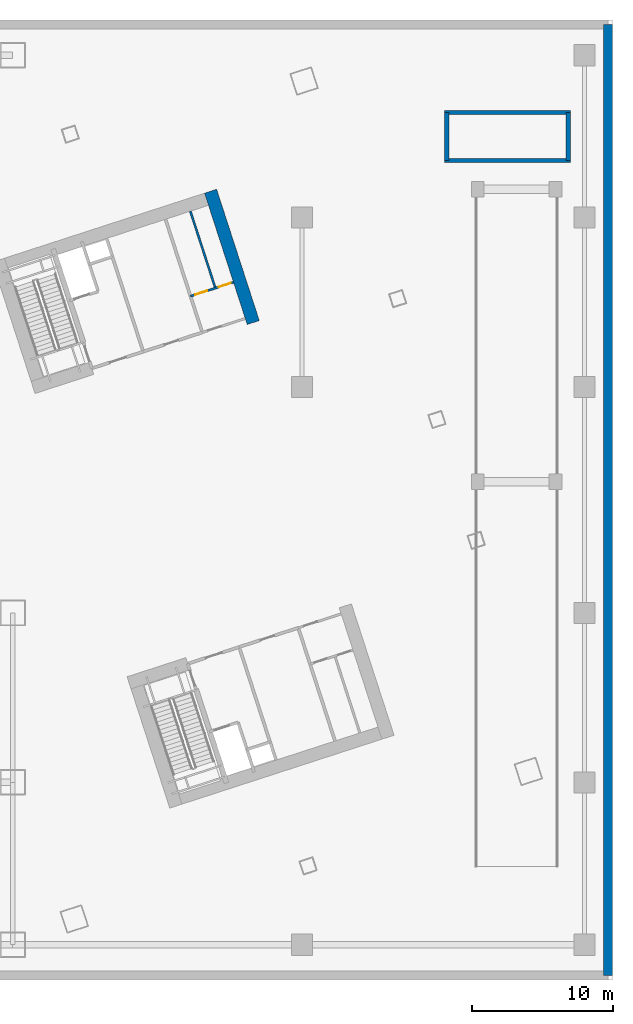
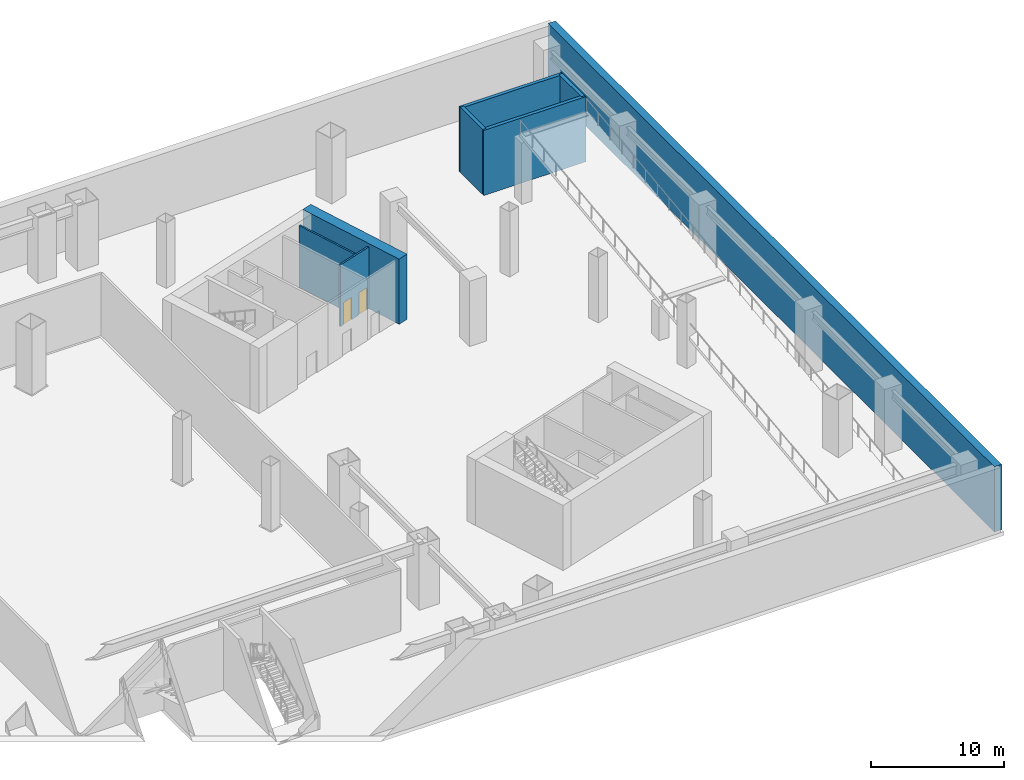
# One storey, part 10 of 20: 8 walls, 2 doors, 2 openings.
"""IFC4 building model written with IfcOpenShell, lengths in metres."""

from ifc_helpers import new_model, si_unit, direction, frame, frame_2d, origin, place, context, subcontext, project, spatial, rectangle, extrude, material, layer, layer_set, type_object, element, fill, save


model = new_model("IFC4")

# Units and contexts
model_context = context("Model", 3, precision=1e-05, world=origin(), true_north=direction((0.0, 1.0)))
body_context = subcontext(model_context, "Body", "Model", "MODEL_VIEW")
ifc_project = project(units=[si_unit("LENGTHUNIT", "METRE"), si_unit("AREAUNIT", "SQUARE_METRE"), si_unit("VOLUMEUNIT", "CUBIC_METRE"), si_unit("PLANEANGLEUNIT", "RADIAN"), si_unit("MASSUNIT", "GRAM", prefix="KILO")], contexts=[model_context])

# Site, building, storey
site_placement = place(None, origin())
site = spatial("IfcSite", under=ifc_project, at=site_placement, CompositionType="ELEMENT")
building_placement = place(site_placement, origin())
building = spatial("IfcBuilding", under=site, at=building_placement, Name="Qiaolan Cultural Towers", CompositionType="ELEMENT")
storey_placement = place(building_placement, frame((0.0, 0.0, -6.0)))
storey = spatial("IfcBuildingStorey", under=building, at=storey_placement, Name="B1", CompositionType="ELEMENT", Elevation=-6.0)

# Walls
ifc_material_1 = material(Name="Concrete C50", Category="concrete")
ifc_layer_1 = layer(ifc_material_1, 0.35009765625)
ifc_layer_set_1 = layer_set([ifc_layer_1], Name="Concrete C50")
wall_type_1 = type_object("IfcWallType", Name="WL-CORE-350", PredefinedType="SHEAR", material=ifc_layer_set_1)
for number, where, z_axis, x_axis, name in (
    (1, (108.10009765625, 58.050048828125, 0.0), (0.0, 0.0, 1.0), (1.0, 0.0, 0.0), "B1 STP2 Stair Shaft Wall S"),
    (2, (108.10009765625, 61.449951171875, 0.0), (0.0, 0.0, 1.0), (1.0, 0.0, 0.0), "B1 STP2 Stair Shaft Wall N"),
):
    element("IfcWall", number, at=place(storey_placement, frame(where, z_axis=z_axis, x_axis=x_axis)), inside=storey, type_object=wall_type_1, Name=name, PredefinedType="SHEAR", context=body_context, shape_type="SweptSolid", body=[
        extrude(rectangle(XDim=8.89990234375, YDim=0.300048828125, at=frame_2d((4.449951171875, 0.0))), origin(), (0.0, 0.0, 1.0), 6.0),
    ])
for number, where, z_axis, x_axis, name in (
    (3, (116.85009765625, 58.050048828125, 0.0), (0.0, 0.0, 1.0), (0.0, 1.0, 0.0), "B1 STP2 Stair Shaft Wall E"),
    (4, (108.25, 58.050048828125, 0.0), (0.0, 0.0, 1.0), (0.0, 1.0, 0.0), "B1 STP2 Stair Shaft Wall W"),
):
    element("IfcWall", number, at=place(storey_placement, frame(where, z_axis=z_axis, x_axis=x_axis)), inside=storey, type_object=wall_type_1, Name=name, PredefinedType="SHEAR", context=body_context, shape_type="SweptSolid", body=[
        extrude(rectangle(XDim=3.39990234375, YDim=0.300048828125, at=frame_2d((1.699951171875, 0.0))), origin(), (0.0, 0.0, 1.0), 6.0),
    ])
ifc_material_2 = material(Name="Concrete C60", Category="concrete")
ifc_layer_2 = layer(ifc_material_2, 0.89990234375)
ifc_layer_set_2 = layer_set([ifc_layer_2], Name="Concrete C60")
wall_type_2 = type_object("IfcWallType", Name="WL-CORE-900", PredefinedType="SHEAR", material=ifc_layer_set_2)
wall_1_placement = place(storey_placement, frame((94.53857421875, 46.567626953125, 0.0), z_axis=(0.0, 0.0, 1.0), x_axis=(-0.309021722829, 0.951054979914, 0.0)))
element("IfcWall", 5, at=wall_1_placement, inside=storey, type_object=wall_type_2, Name="B1 T2-CN East Core Shear Wall", PredefinedType="SHEAR", context=body_context, shape_type="SweptSolid", body=[
    extrude(rectangle(XDim=9.780029296875, YDim=0.89990234375, at=frame_2d((4.89013671875, 0.0))), origin(), (0.0, 0.0, 1.0), 6.0),
])

# Wall, openings, doors
ifc_material_3 = material(Name="Autoclaved Aerated Concrete Block B06", Category="concrete")
ifc_layer_3 = layer(ifc_material_3, 0.14990234375)
ifc_layer_set_3 = layer_set([ifc_layer_3], Name="Autoclaved Aerated Concrete Block B06")
wall_type_3 = type_object("IfcWallType", Name="WL-PART-150", PredefinedType="PARTITIONING", material=ifc_layer_set_3)
wall_2_placement = place(storey_placement, frame((90.09375, 48.435546875, 0.0), z_axis=(0.0, 0.0, 1.0), x_axis=(0.951066581729, 0.308986014439, 0.0)))
wall_2 = element("IfcWall", 6, at=wall_2_placement, inside=storey, type_object=wall_type_3, Name="B1 T2-CN Restroom Vestibule Wall", PredefinedType="PARTITIONING", context=body_context, shape_type="SweptSolid", body=[
    extrude(rectangle(XDim=3.199951171875, YDim=0.14990234375, at=frame_2d((1.60009765625, 0.0))), origin(), (0.0, 0.0, 1.0), 5.68505859375),
])
opening_1_placement = place(wall_2_placement, frame((0.35009765625, 0.0, 0.0)))
opening_1 = element("IfcOpeningElement", 7, at=opening_1_placement, cuts=wall_2, Name="Opening ID-06", PredefinedType="OPENING", context=body_context, shape_type="SweptSolid", body=[
    extrude(rectangle(XDim=0.89990234375, YDim=2.050048828125, at=frame_2d((0.449951171875, 1.02490234375))), frame((0.0, 0.0849609375, 0.0), z_axis=(0.0, -1.0, 0.0), x_axis=(1.0, 0.0, 0.0)), (0.0, 0.0, 1.0), 0.169921875),
])
opening_2_placement = place(wall_2_placement, frame((2.10009765625, 0.0, 0.0)))
opening_2 = element("IfcOpeningElement", 8, at=opening_2_placement, cuts=wall_2, Name="Opening ID-06", PredefinedType="OPENING", context=body_context, shape_type="SweptSolid", body=[
    extrude(rectangle(XDim=0.89990234375, YDim=2.050048828125, at=frame_2d((0.449951171875, 1.02490234375))), frame((0.0, 0.0849609375, 0.0), z_axis=(0.0, -1.0, 0.0), x_axis=(1.0, 0.0, 0.0)), (0.0, 0.0, 1.0), 0.169921875),
])
ifc_material_4 = material(Name="Fire-Rated Laminate Core Service Door", Category="timber")
door_type = type_object("IfcDoorType", Name="DR-INT-900", OperationType="NOTDEFINED", PredefinedType="DOOR", material=ifc_material_4)
door_1_placement = place(opening_1_placement, origin())
door_1 = element("IfcDoor", 9, at=door_1_placement, inside=storey, type_object=door_type, Name="B1 Men Restroom Door", OperationType="SINGLE_SWING_LEFT", OverallHeight=2.050048828125, OverallWidth=0.89990234375, PredefinedType="DOOR", context=body_context, shape_type="SweptSolid", body=[
    extrude(rectangle(XDim=0.89990234375, YDim=2.050048828125, at=frame_2d((0.449951171875, 1.02490234375))), frame((0.0, 0.02490234375, 0.0), z_axis=(0.0, -1.0, 0.0), x_axis=(1.0, 0.0, 0.0)), (0.0, 0.0, 1.0), 0.050048828125),
])
fill(opening_1, door_1)
door_2_placement = place(opening_2_placement, origin())
door_2 = element("IfcDoor", 10, at=door_2_placement, inside=storey, type_object=door_type, Name="B1 Accessible & Women Restroom Door", OperationType="SINGLE_SWING_RIGHT", OverallHeight=2.050048828125, OverallWidth=0.89990234375, PredefinedType="DOOR", context=body_context, shape_type="SweptSolid", body=[
    extrude(rectangle(XDim=0.89990234375, YDim=2.050048828125, at=frame_2d((0.449951171875, 1.02490234375))), frame((0.0, 0.02490234375, 0.0), z_axis=(0.0, -1.0, 0.0), x_axis=(1.0, 0.0, 0.0)), (0.0, 0.0, 1.0), 0.050048828125),
])
fill(opening_2, door_2)

# Walls
wall_3_placement = place(storey_placement, frame((91.853271484375, 49.007080078125, 0.0), z_axis=(0.0, 0.0, 1.0), x_axis=(-0.309022487551, 0.951054731437, 0.0)))
element("IfcWall", 11, at=wall_3_placement, inside=storey, type_object=wall_type_3, Name="B1 T2-CN Restroom Divider Wall", PredefinedType="PARTITIONING", context=body_context, shape_type="SweptSolid", body=[
    extrude(rectangle(XDim=5.730224609375, YDim=0.14990234375, at=frame_2d((2.865234375, 0.0))), origin(), (0.0, 0.0, 1.0), 5.68505859375),
])
ifc_material_5 = material(Name="Concrete C50", Category="concrete")
ifc_layer_4 = layer(ifc_material_5, 0.64990234375)
ifc_layer_set_4 = layer_set([ifc_layer_4], Name="Concrete C50")
wall_type_4 = type_object("IfcWallType", Name="WL-RET-650", PredefinedType="SHEAR", material=ifc_layer_set_4)
wall_4_placement = place(storey_placement, frame((119.675048828125, 0.324951171875, 0.0), z_axis=(0.0, 0.0, 1.0), x_axis=(0.0, 1.0, 0.0)))
element("IfcWall", 12, at=wall_4_placement, inside=storey, type_object=wall_type_4, Name="B1 Basement Retaining Wall EAST", PredefinedType="SHEAR", context=body_context, shape_type="SweptSolid", body=[
    extrude(rectangle(XDim=67.35009765625, YDim=0.64990234375, at=frame_2d((33.675048828125, 0.0))), origin(), (0.0, 0.0, 1.0), 6.0),
])

save(model, "model.ifc")
